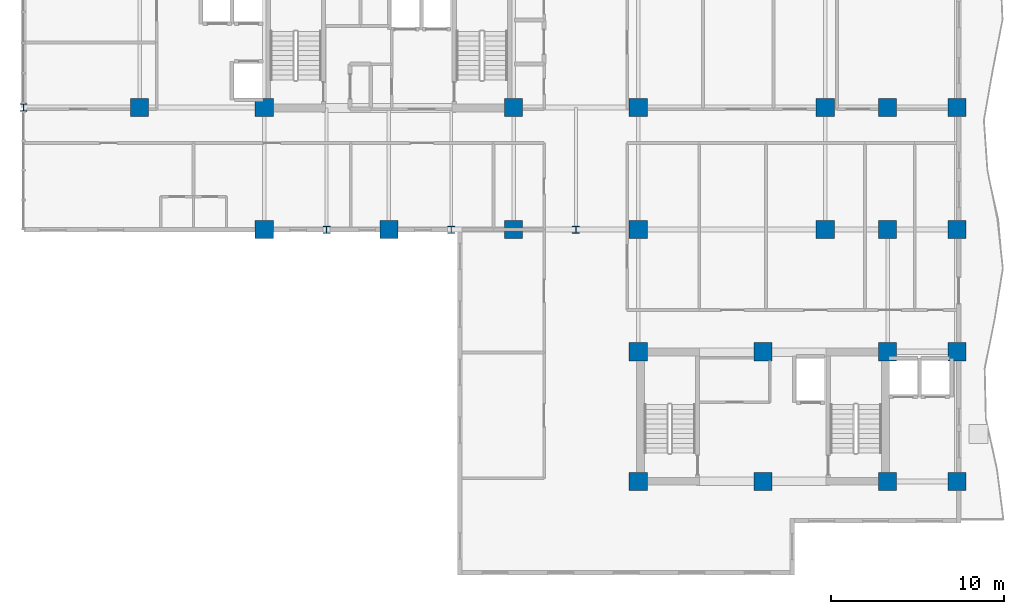
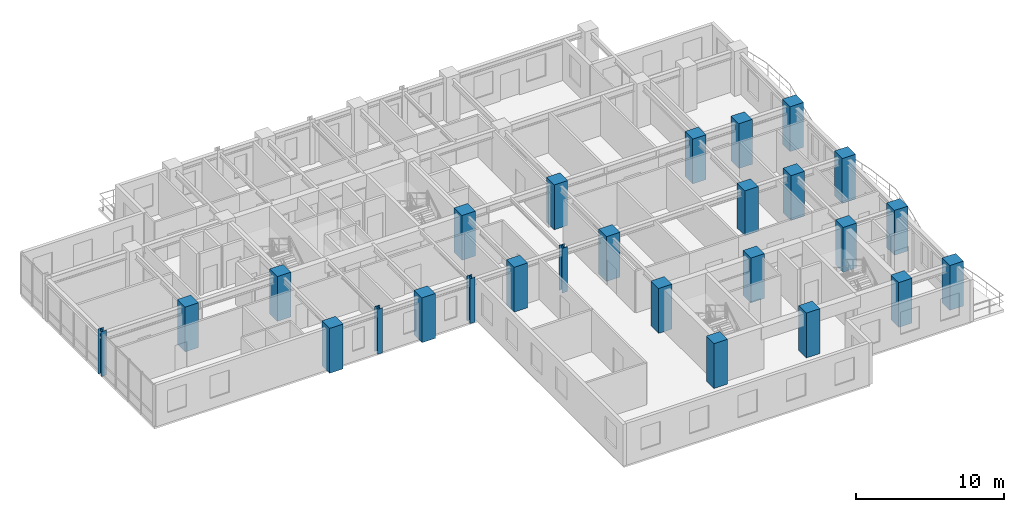
# One storey, part 1 of 18: 26 columns.
"""IFC4 building model written with IfcOpenShell, lengths in metres."""

from ifc_helpers import new_model, si_unit, direction, frame, origin, origin_2d, place, context, subcontext, project, spatial, rectangle, i_section, extrude, source, transform, mapped, material, material_profile, profile_set, type_object, element, save


model = new_model("IFC4")

# Units and contexts
model_context = context("Model", 3, precision=1e-05, world=origin(), true_north=direction((0.0, 1.0)))
body_context = subcontext(model_context, "Body", "Model", "MODEL_VIEW")
ifc_project = project(units=[si_unit("LENGTHUNIT", "METRE"), si_unit("AREAUNIT", "SQUARE_METRE"), si_unit("VOLUMEUNIT", "CUBIC_METRE"), si_unit("PLANEANGLEUNIT", "RADIAN"), si_unit("MASSUNIT", "GRAM", prefix="KILO")], contexts=[model_context])

# Site, building, storey
site_placement = place(None, origin())
site = spatial("IfcSite", under=ifc_project, at=site_placement, CompositionType="ELEMENT")
building_placement = place(site_placement, origin())
building = spatial("IfcBuilding", under=site, at=building_placement, Name="Kaliganga Portal Commons", CompositionType="ELEMENT")
storey_placement = place(building_placement, frame((0.0, 0.0, 169.800048828125)))
storey = spatial("IfcBuildingStorey", under=building, at=storey_placement, Name="L43", CompositionType="ELEMENT", Elevation=169.800048828125)

# Columns
ifc_material_1 = material(Name="Concrete C60/75", Category="concrete")
ifc_material_profile_1 = material_profile(ifc_material_1, rectangle(XDim=1.050048828125, YDim=1.050048828125, at=origin_2d()), Name="RC 1050x1050")
ifc_profile_set_1 = profile_set([ifc_material_profile_1], Name="Concrete C60/75")
column_type_1 = type_object("IfcColumnType", Name="COL-MEGA-Z3", PredefinedType="COLUMN", material=ifc_profile_set_1)
shared_shape_1 = source(origin(), body_context, "Body", "SweptSolid", [
    extrude(rectangle(XDim=1.050048828125, YDim=1.050048828125, at=origin_2d()), origin(), (0.0, 0.0, 1.0), 3.699951171875),
])
for number, where, z_axis, x_axis, name in (
    (1, (7.199951171875, 28.64990234375, 0.0), (0.0, 0.0, 1.0), (1.0, 0.0, 0.0), "Column MC-04 L43"),
    (2, (14.39990234375, 21.60009765625, 0.0), (0.0, 0.0, 1.0), (1.0, 0.0, 0.0), "Column MC-04 L43"),
    (3, (14.39990234375, 28.64990234375, 0.0), (0.0, 0.0, 1.0), (1.0, 0.0, 0.0), "Column MC-04 L43"),
    (4, (21.60009765625, 21.60009765625, 0.0), (0.0, 0.0, 1.0), (1.0, 0.0, 0.0), "Column MC-04 L43"),
    (5, (28.800048828125, 21.60009765625, 0.0), (0.0, 0.0, 1.0), (1.0, 0.0, 0.0), "Column MC-04 L43"),
    (6, (28.800048828125, 28.64990234375, 0.0), (0.0, 0.0, 1.0), (1.0, 0.0, 0.0), "Column MC-04 L43"),
    (7, (36.0, 21.60009765625, 0.0), (0.0, 0.0, 1.0), (1.0, 0.0, 0.0), "Column MC-04 L43"),
    (8, (36.0, 28.64990234375, 0.0), (0.0, 0.0, 1.0), (1.0, 0.0, 0.0), "Column MC-04 L43"),
    (9, (46.800048828125, 21.60009765625, 0.0), (0.0, 0.0, 1.0), (1.0, 0.0, 0.0), "Column MC-04 L43"),
    (10, (46.800048828125, 28.64990234375, 0.0), (0.0, 0.0, 1.0), (1.0, 0.0, 0.0), "Column MC-04 L43"),
    (11, (36.0, 7.050048828125, 0.0), (0.0, 0.0, 1.0), (1.0, 0.0, 0.0), "Column MC-04 L43"),
    (12, (36.0, 14.550048828125, 0.0), (0.0, 0.0, 1.0), (1.0, 0.0, 0.0), "Column MC-04 L43"),
    (13, (43.199951171875, 7.050048828125, 0.0), (0.0, 0.0, 1.0), (1.0, 0.0, 0.0), "Column MC-04 L43"),
    (14, (43.199951171875, 14.550048828125, 0.0), (0.0, 0.0, 1.0), (1.0, 0.0, 0.0), "Column MC-04 L43"),
    (15, (50.39990234375, 7.050048828125, 0.0), (0.0, 0.0, 1.0), (1.0, 0.0, 0.0), "Column MC-04 L43"),
    (16, (50.39990234375, 14.550048828125, 0.0), (0.0, 0.0, 1.0), (1.0, 0.0, 0.0), "Column MC-04 L43"),
    (17, (50.39990234375, 21.60009765625, 0.0), (0.0, 0.0, 1.0), (1.0, 0.0, 0.0), "Column MC-04 L43"),
    (18, (50.39990234375, 28.64990234375, 0.0), (0.0, 0.0, 1.0), (1.0, 0.0, 0.0), "Column MC-04 L43"),
    (19, (54.39990234375, 7.050048828125, 0.0), (0.0, 0.0, 1.0), (1.0, 0.0, 0.0), "Column MC-04 L43"),
    (20, (54.39990234375, 14.550048828125, 0.0), (0.0, 0.0, 1.0), (1.0, 0.0, 0.0), "Column MC-04 L43"),
    (21, (54.39990234375, 21.60009765625, 0.0), (0.0, 0.0, 1.0), (1.0, 0.0, 0.0), "Column MC-04 L43"),
    (22, (54.39990234375, 28.64990234375, 0.0), (0.0, 0.0, 1.0), (1.0, 0.0, 0.0), "Column MC-04 L43"),
):
    element("IfcColumn", number, at=place(storey_placement, frame(where, z_axis=z_axis, x_axis=x_axis)), inside=storey, type_object=column_type_1, Name=name, PredefinedType="COLUMN", context=body_context, shape_type="MappedRepresentation", body=[
        mapped(shared_shape_1, transform((0.0, 0.0, 0.0), x_axis=(1.0, 0.0, 0.0), y_axis=(0.0, 1.0, 0.0), z_axis=(0.0, 0.0, 1.0), scale=1.0)),
    ])
ifc_material_2 = material(Name="Structural steel S460M", Category="steel")
ifc_material_profile_2 = material_profile(ifc_material_2, i_section(OverallWidth=0.404052734375, OverallDepth=0.4140625, WebThickness=0.0205078125, FlangeThickness=0.028076171875, FilletRadius=0.014892578125, at=origin_2d()), Name="HD 400x347")
ifc_profile_set_2 = profile_set([ifc_material_profile_2], Name="Structural steel S460M wide-flange")
column_type_2 = type_object("IfcColumnType", Name="COL-TUBE-B3", PredefinedType="COLUMN", material=ifc_profile_set_2)
shared_shape_2 = source(origin(), body_context, "Body", "SweptSolid", [
    extrude(i_section(OverallWidth=0.404052734375, OverallDepth=0.4140625, WebThickness=0.0205078125, FlangeThickness=0.028076171875, FilletRadius=0.014892578125, at=origin_2d()), origin(), (0.0, 0.0, 1.0), 3.699951171875),
])
for number, where, z_axis, x_axis, name in (
    (23, (0.5, 28.64990234375, 0.0), (0.0, 0.0, 1.0), (1.0, 0.0, 0.0), "Column TC-03 L43"),
    (24, (18.0, 21.60009765625, 0.0), (0.0, 0.0, 1.0), (1.0, 0.0, 0.0), "Column TC-03 L43"),
    (25, (25.199951171875, 21.60009765625, 0.0), (0.0, 0.0, 1.0), (1.0, 0.0, 0.0), "Column TC-03 L43"),
    (26, (32.39990234375, 21.60009765625, 0.0), (0.0, 0.0, 1.0), (1.0, 0.0, 0.0), "Column TC-03 L43"),
):
    element("IfcColumn", number, at=place(storey_placement, frame(where, z_axis=z_axis, x_axis=x_axis)), inside=storey, type_object=column_type_2, Name=name, PredefinedType="COLUMN", context=body_context, shape_type="MappedRepresentation", body=[
        mapped(shared_shape_2, transform((0.0, 0.0, 0.0), x_axis=(1.0, 0.0, 0.0), y_axis=(0.0, 1.0, 0.0), z_axis=(0.0, 0.0, 1.0), scale=1.0)),
    ])

save(model, "model.ifc")
